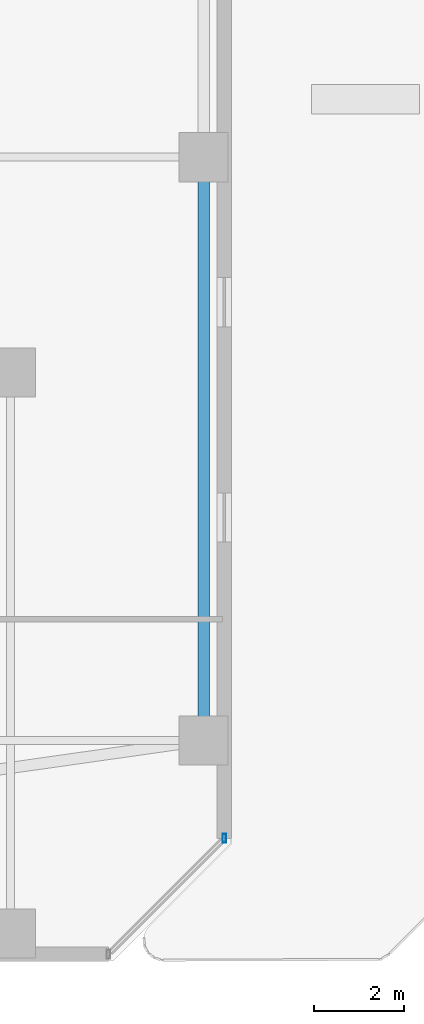
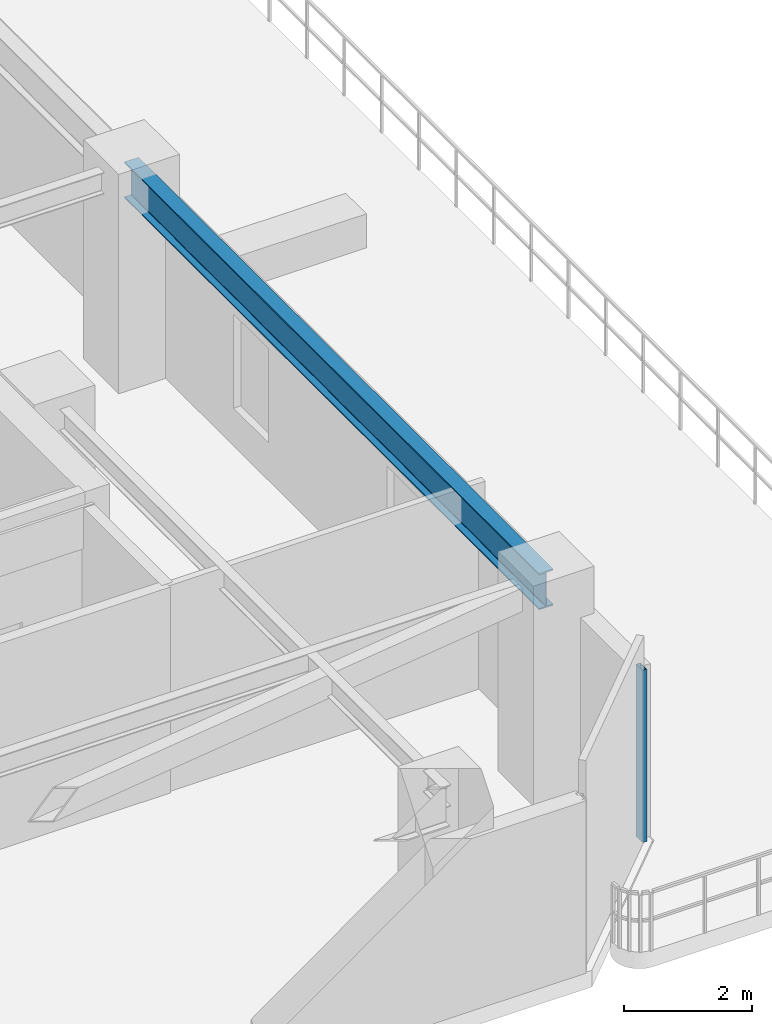
# One storey, part 15 of 33: 1 beam, 1 member, 1 element without a shape of its own.
"""IFC4 building model written with IfcOpenShell, lengths in metres."""

from ifc_helpers import new_model, si_unit, direction, frame, origin, origin_2d, place, context, subcontext, project, spatial, hollow_rectangle, i_section, extrude, material, material_profile, profile_set, type_object, element, aggregate, save


model = new_model("IFC4")

# Units and contexts
model_context = context("Model", 3, precision=1e-05, world=origin(), true_north=direction((0.0, 1.0)))
body_context = subcontext(model_context, "Body", "Model", "MODEL_VIEW")
ifc_project = project(units=[si_unit("LENGTHUNIT", "METRE"), si_unit("AREAUNIT", "SQUARE_METRE"), si_unit("VOLUMEUNIT", "CUBIC_METRE"), si_unit("PLANEANGLEUNIT", "RADIAN"), si_unit("MASSUNIT", "GRAM", prefix="KILO")], contexts=[model_context])

# Site, building, storey
site_placement = place(None, origin())
site = spatial("IfcSite", under=ifc_project, at=site_placement, CompositionType="ELEMENT")
building_placement = place(site_placement, origin())
building = spatial("IfcBuilding", under=site, at=building_placement, Name="Thornwick Lancets Civic Towers", CompositionType="ELEMENT")
storey_placement = place(building_placement, frame((0.0, 0.0, 174.300048828125)))
storey = spatial("IfcBuildingStorey", under=building, at=storey_placement, Name="L46", CompositionType="ELEMENT", Elevation=174.300048828125)

# Beam
ifc_material_1 = material(Name="Steel S355JR", Category="steel")
ifc_material_profile_1 = material_profile(ifc_material_1, i_section(OverallWidth=0.255859375, OverallDepth=0.69287109375, WebThickness=0.014404296875, FlangeThickness=0.023681640625, FilletRadius=0.01513671875, at=origin_2d()), Name="UKB 686x254x170")
ifc_profile_set_1 = profile_set([ifc_material_profile_1], Name="Steel S355JR")
beam_type = type_object("IfcBeamType", Name="BM_GIRD_686_170", PredefinedType="BEAM", material=ifc_profile_set_1)
beam_placement = place(storey_placement, frame((105.800048828125, 14.0, 3.613525390625), z_axis=(0.0, 1.0, 0.0), x_axis=(-1.0, 0.0, 0.0)))
element("IfcBeam", 1, at=beam_placement, inside=storey, type_object=beam_type, Name="BM-SPINE-L46-B-0-1", PredefinedType="BEAM", context=body_context, shape_type="SweptSolid", body=[
    extrude(i_section(OverallWidth=0.255859375, OverallDepth=0.69287109375, WebThickness=0.014404296875, FlangeThickness=0.023681640625, FilletRadius=0.01513671875, at=origin_2d()), origin(), (0.0, 0.0, 1.0), 13.0),
])

# Curtain wall, member
ifc_material_2 = material(Name="Mid-zone chamfered-corner unitised glass curtain wall", Category="glass")
curtain_wall_type = type_object("IfcCurtainWallType", Name="CW_SYS_04", PredefinedType="NOTDEFINED", material=ifc_material_2)
curtain_wall_placement = place(storey_placement, origin())
curtain_wall = element("IfcCurtainWall", 2, at=curtain_wall_placement, inside=storey, type_object=curtain_wall_type, Name="L46 Curtain Wall CW-L46-B-E1", PredefinedType="NOTDEFINED")
ifc_material_3 = material(Name="Thermally broken bronze aluminium S355", Category="steel")
ifc_material_profile_2 = material_profile(ifc_material_3, hollow_rectangle(XDim=0.080078125, YDim=0.199951171875, WallThickness=0.006103515625, at=origin_2d()), Name="RHS 200x80x6")
ifc_profile_set_2 = profile_set([ifc_material_profile_2], Name="Thermally broken bronze aluminium S355")
member_type = type_object("IfcMemberType", Name="CW_MUL_200", PredefinedType="MULLION", material=ifc_profile_set_2)
member_placement = place(storey_placement, frame((106.2646484375, 11.818603515625, 0.0), z_axis=(0.0, 0.0, 1.0), x_axis=(1.0, 0.0, 0.0)))
member = element("IfcMember", 3, at=member_placement, type_object=member_type, Name="CW-L46-B-E1 Mullion 1", PredefinedType="MULLION", context=body_context, shape_type="SweptSolid", body=[
    extrude(hollow_rectangle(XDim=0.080078125, YDim=0.199951171875, WallThickness=0.006103515625, at=origin_2d()), origin(), (0.0, 0.0, 1.0), 3.300048828125),
])
aggregate(curtain_wall, [member])

save(model, "model.ifc")
